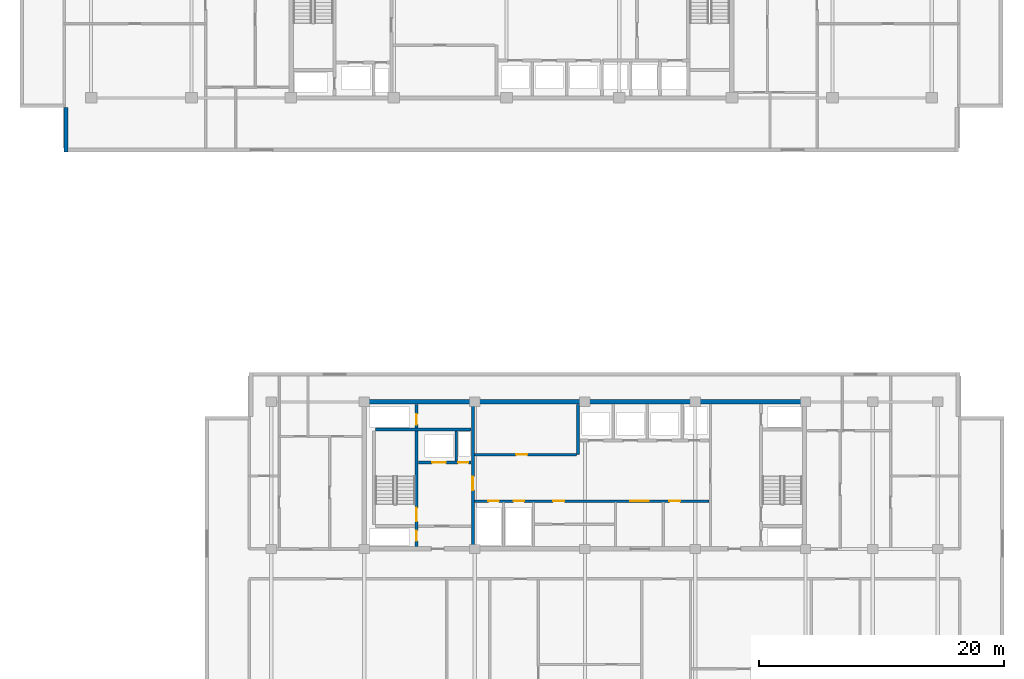
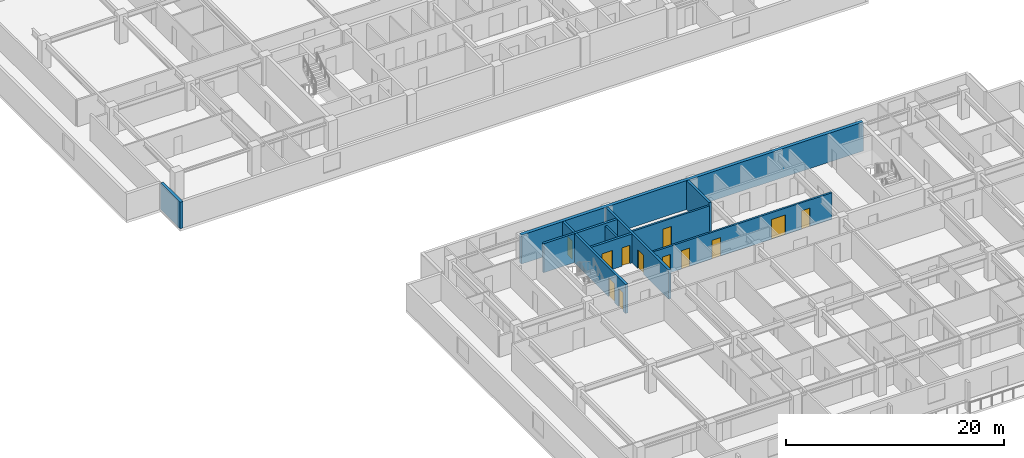
# One storey, part 7 of 22: 12 doors, 10 walls, 12 openings.
"""IFC4 building model written with IfcOpenShell, lengths in metres."""

from ifc_helpers import new_model, si_unit, direction, frame, frame_2d, origin, place, context, subcontext, project, spatial, rectangle, extrude, material, layer, layer_set, type_object, element, fill, save


model = new_model("IFC4")

# Units and contexts
model_context = context("Model", 3, precision=1e-05, world=origin(), true_north=direction((0.0, 1.0)))
body_context = subcontext(model_context, "Body", "Model", "MODEL_VIEW")
ifc_project = project(units=[si_unit("LENGTHUNIT", "METRE"), si_unit("AREAUNIT", "SQUARE_METRE"), si_unit("VOLUMEUNIT", "CUBIC_METRE"), si_unit("PLANEANGLEUNIT", "RADIAN"), si_unit("MASSUNIT", "GRAM", prefix="KILO")], contexts=[model_context])

# Site, building, storey
site_placement = place(None, origin())
site = spatial("IfcSite", under=ifc_project, at=site_placement, CompositionType="ELEMENT")
building_placement = place(site_placement, origin())
building = spatial("IfcBuilding", under=site, at=building_placement, Name="Korimba Cascade Residences", CompositionType="ELEMENT")
storey_placement = place(building_placement, frame((0.0, 0.0, 110.050048828125)))
storey = spatial("IfcBuildingStorey", under=building, at=storey_placement, Name="L31", CompositionType="ELEMENT", Elevation=110.050048828125)

# Walls
ifc_material_1 = material(Name="Precast concrete C40/50", Category="concrete")
ifc_layer_1 = layer(ifc_material_1, 0.300048828125)
ifc_layer_set_1 = layer_set([ifc_layer_1], Name="Precast concrete C40/50")
wall_type_1 = type_object("IfcWallType", Name="EW-STONE-300", PredefinedType="STANDARD", material=ifc_layer_set_1)
wall_1_placement = place(storey_placement, frame((57.75, 54.39990234375, 0.0), z_axis=(0.0, 0.0, 1.0), x_axis=(0.0, -1.0, 0.0)))
element("IfcWall", 1, at=wall_1_placement, inside=storey, type_object=wall_type_1, Name="L31 T1 Perimeter Stone Wall E11", PredefinedType="STANDARD", context=body_context, shape_type="SweptSolid", body=[
    extrude(rectangle(XDim=3.599853515625, YDim=0.300048828125, at=frame_2d((1.7998046875, 0.0))), origin(), (0.0, 0.0, 1.0), 2.969970703125),
])
ifc_material_2 = material(Name="Concrete C65/80", Category="concrete")
ifc_layer_2 = layer(ifc_material_2, 0.35009765625)
ifc_layer_set_2 = layer_set([ifc_layer_2], Name="Concrete C65/80")
wall_type_2 = type_object("IfcWallType", Name="WAL-CORE-350", PredefinedType="SHEAR", material=ifc_layer_set_2)
wall_2_placement = place(storey_placement, frame((81.925048828125, 30.39990234375, 0.0), z_axis=(0.0, 0.0, 1.0), x_axis=(1.0, 0.0, 0.0)))
element("IfcWall", 2, at=wall_2_placement, inside=storey, type_object=wall_type_2, Name="L31 Core Shear Wall CW-L31-T2-N", PredefinedType="SHEAR", context=body_context, shape_type="SweptSolid", body=[
    extrude(rectangle(XDim=36.264892578125, YDim=0.35009765625, at=frame_2d((18.13232421875, 0.0))), origin(), (0.0, 0.0, 1.0), 3.25),
])
ifc_material_3 = material(Name="Concrete C40/50", Category="concrete")
ifc_layer_3 = layer(ifc_material_3, 0.199951171875)
ifc_layer_set_3 = layer_set([ifc_layer_3], Name="Concrete C40/50")
wall_type_3 = type_object("IfcWallType", Name="WAL-PART-200", PredefinedType="PARTITIONING", material=ifc_layer_set_3)
wall_3_placement = place(storey_placement, frame((89.60009765625, 25.580078125, 0.0), z_axis=(0.0, 0.0, 1.0), x_axis=(0.0, 1.0, 0.0)))
element("IfcWall", 3, at=wall_3_placement, inside=storey, type_object=wall_type_3, Name="L31 Partition Wall CW-L31-T2-FFLDIV", PredefinedType="PARTITIONING", context=body_context, shape_type="SweptSolid", body=[
    extrude(rectangle(XDim=2.419921875, YDim=0.199951171875, at=frame_2d((1.2099609375, 0.0))), origin(), (0.0, 0.0, 1.0), 2.969970703125),
])

# Wall, opening, door
wall_4_placement = place(storey_placement, frame((91.080078125, 26.10009765625, 0.0), z_axis=(0.0, 0.0, 1.0), x_axis=(1.0, 0.0, 0.0)))
wall_4 = element("IfcWall", 4, at=wall_4_placement, inside=storey, type_object=wall_type_3, Name="L31 Partition Wall CW-L31-T2-B1RS", PredefinedType="PARTITIONING", context=body_context, shape_type="SweptSolid", body=[
    extrude(rectangle(XDim=8.33984375, YDim=0.199951171875, at=frame_2d((4.169921875, 0.0))), origin(), (0.0, 0.0, 1.0), 2.969970703125),
])
opening_1_placement = place(wall_4_placement, frame((3.39990234375, 0.0, 0.0)))
opening_1 = element("IfcOpeningElement", 5, at=opening_1_placement, cuts=wall_4, Name="Opening D-ST1", PredefinedType="OPENING", context=body_context, shape_type="SweptSolid", body=[
    extrude(rectangle(XDim=0.919921875, YDim=2.080078125, at=frame_2d((0.4599609375, 1.0400390625))), frame((0.0, 0.10986328125, 0.0), z_axis=(0.0, -1.0, 0.0), x_axis=(1.0, 0.0, 0.0)), (0.0, 0.0, 1.0), 0.219970703125),
])
ifc_material_4 = material(Name="Fire-Rated Core Store Door", Category="wood")
door_type_1 = type_object("IfcDoorType", Name="DR-FD60-920", OperationType="NOTDEFINED", PredefinedType="DOOR", material=ifc_material_4)
door_1_placement = place(opening_1_placement, origin())
door_1 = element("IfcDoor", 6, at=door_1_placement, inside=storey, type_object=door_type_1, Name="L31 T2 Resident Storage Door", OperationType="SINGLE_SWING_RIGHT", OverallHeight=2.080078125, OverallWidth=0.919921875, PredefinedType="DOOR", context=body_context, shape_type="SweptSolid", body=[
    extrude(rectangle(XDim=0.919921875, YDim=2.080078125, at=frame_2d((0.4599609375, 1.0400390625))), frame((0.0, 0.02490234375, 0.0), z_axis=(0.0, -1.0, 0.0), x_axis=(1.0, 0.0, 0.0)), (0.0, 0.0, 1.0), 0.050048828125),
])
fill(opening_1, door_1)

# Wall, openings, doors
wall_5_placement = place(storey_placement, frame((91.080078125, 22.300048828125, 0.0), z_axis=(0.0, 0.0, 1.0), x_axis=(1.0, 0.0, 0.0)))
wall_5 = element("IfcWall", 7, at=wall_5_placement, inside=storey, type_object=wall_type_3, Name="L31 Partition Wall CW-L31-T2-SRVROW", PredefinedType="PARTITIONING", context=body_context, shape_type="SweptSolid", body=[
    extrude(rectangle(XDim=19.139892578125, YDim=0.199951171875, at=frame_2d((9.56982421875, 0.0))), origin(), (0.0, 0.0, 1.0), 2.969970703125),
])
opening_2_placement = place(wall_5_placement, frame((1.14990234375, 0.0, 0.0)))
opening_2 = element("IfcOpeningElement", 8, at=opening_2_placement, cuts=wall_5, Name="Opening D-RS1", PredefinedType="OPENING", context=body_context, shape_type="SweptSolid", body=[
    extrude(rectangle(XDim=0.85009765625, YDim=2.050048828125, at=frame_2d((0.425048828125, 1.02490234375))), frame((0.0, 0.10986328125, 0.0), z_axis=(0.0, -1.0, 0.0), x_axis=(1.0, 0.0, 0.0)), (0.0, 0.0, 1.0), 0.219970703125),
])
opening_3_placement = place(wall_5_placement, frame((3.199951171875, 0.0, 0.0)))
opening_3 = element("IfcOpeningElement", 9, at=opening_3_placement, cuts=wall_5, Name="Opening D-RS1", PredefinedType="OPENING", context=body_context, shape_type="SweptSolid", body=[
    extrude(rectangle(XDim=0.85009765625, YDim=2.050048828125, at=frame_2d((0.425048828125, 1.02490234375))), frame((0.0, 0.10986328125, 0.0), z_axis=(0.0, -1.0, 0.0), x_axis=(1.0, 0.0, 0.0)), (0.0, 0.0, 1.0), 0.219970703125),
])
opening_4_placement = place(wall_5_placement, frame((12.719970703125, 0.0, 0.0)))
opening_4 = element("IfcOpeningElement", 10, at=opening_4_placement, cuts=wall_5, Name="Opening D-FD8", PredefinedType="OPENING", context=body_context, shape_type="SweptSolid", body=[
    extrude(rectangle(XDim=1.5, YDim=2.199951171875, at=frame_2d((0.75, 1.10009765625))), frame((0.0, 0.10986328125, 0.0), z_axis=(0.0, -1.0, 0.0), x_axis=(1.0, 0.0, 0.0)), (0.0, 0.0, 1.0), 0.219970703125),
])
opening_5_placement = place(wall_5_placement, frame((6.419921875, 0.0, 0.0)))
opening_5 = element("IfcOpeningElement", 11, at=opening_5_placement, cuts=wall_5, Name="Opening D-IN1", PredefinedType="OPENING", context=body_context, shape_type="SweptSolid", body=[
    extrude(rectangle(XDim=0.919921875, YDim=2.080078125, at=frame_2d((0.4599609375, 1.0400390625))), frame((0.0, 0.10986328125, 0.0), z_axis=(0.0, -1.0, 0.0), x_axis=(1.0, 0.0, 0.0)), (0.0, 0.0, 1.0), 0.219970703125),
])
opening_6_placement = place(wall_5_placement, frame((15.919921875, 0.0, 0.0)))
opening_6 = element("IfcOpeningElement", 12, at=opening_6_placement, cuts=wall_5, Name="Opening D-IN2", PredefinedType="OPENING", context=body_context, shape_type="SweptSolid", body=[
    extrude(rectangle(XDim=0.8798828125, YDim=2.06005859375, at=frame_2d((0.43994140625, 1.030029296875))), frame((0.0, 0.10986328125, 0.0), z_axis=(0.0, -1.0, 0.0), x_axis=(1.0, 0.0, 0.0)), (0.0, 0.0, 1.0), 0.219970703125),
])
ifc_material_5 = material(Name="Fire-Rated Steel Riser Access Door", Category="steel")
door_type_2 = type_object("IfcDoorType", Name="DR-FD60-850", OperationType="NOTDEFINED", PredefinedType="DOOR", material=ifc_material_5)
door_2_placement = place(opening_2_placement, origin())
door_2 = element("IfcDoor", 13, at=door_2_placement, inside=storey, type_object=door_type_2, Name="L31 T2 Electrical Riser Door", OperationType="SINGLE_SWING_LEFT", OverallHeight=2.050048828125, OverallWidth=0.85009765625, PredefinedType="DOOR", context=body_context, shape_type="SweptSolid", body=[
    extrude(rectangle(XDim=0.85009765625, YDim=2.050048828125, at=frame_2d((0.425048828125, 1.02490234375))), frame((0.0, 0.02490234375, 0.0), z_axis=(0.0, -1.0, 0.0), x_axis=(1.0, 0.0, 0.0)), (0.0, 0.0, 1.0), 0.050048828125),
])
fill(opening_2, door_2)
door_3_placement = place(opening_3_placement, origin())
door_3 = element("IfcDoor", 14, at=door_3_placement, inside=storey, type_object=door_type_2, Name="L31 T2 Plumbing Riser Door", OperationType="SINGLE_SWING_RIGHT", OverallHeight=2.050048828125, OverallWidth=0.85009765625, PredefinedType="DOOR", context=body_context, shape_type="SweptSolid", body=[
    extrude(rectangle(XDim=0.85009765625, YDim=2.050048828125, at=frame_2d((0.425048828125, 1.02490234375))), frame((0.0, 0.02490234375, 0.0), z_axis=(0.0, -1.0, 0.0), x_axis=(1.0, 0.0, 0.0)), (0.0, 0.0, 1.0), 0.050048828125),
])
fill(opening_3, door_3)
ifc_material_6 = material(Name="Fire-Rated Glazed Lift Lobby Double Door", Category="glass")
door_type_3 = type_object("IfcDoorType", Name="DR-FD90-1500", OperationType="NOTDEFINED", PredefinedType="DOOR", material=ifc_material_6)
door_4_placement = place(opening_4_placement, origin())
door_4 = element("IfcDoor", 15, at=door_4_placement, inside=storey, type_object=door_type_3, Name="L31 T2 Lift Lobby Foyer Door", OperationType="DOUBLE_DOOR_SINGLE_SWING", OverallHeight=2.199951171875, OverallWidth=1.5, PredefinedType="DOOR", context=body_context, shape_type="SweptSolid", body=[
    extrude(rectangle(XDim=1.5, YDim=2.199951171875, at=frame_2d((0.75, 1.10009765625))), frame((0.0, 0.02490234375, 0.0), z_axis=(0.0, -1.0, 0.0), x_axis=(1.0, 0.0, 0.0)), (0.0, 0.0, 1.0), 0.050048828125),
])
fill(opening_4, door_4)
ifc_material_7 = material(Name="Acoustic Timber Bedroom Door", Category="wood")
door_type_4 = type_object("IfcDoorType", Name="DR-INT-880", OperationType="NOTDEFINED", PredefinedType="DOOR", material=ifc_material_7)
door_5_placement = place(opening_6_placement, origin())
door_5 = element("IfcDoor", 16, at=door_5_placement, inside=storey, type_object=door_type_4, Name="L31 T2 Staff WC Door", OperationType="SINGLE_SWING_RIGHT", OverallHeight=2.06005859375, OverallWidth=0.8798828125, PredefinedType="DOOR", context=body_context, shape_type="SweptSolid", body=[
    extrude(rectangle(XDim=0.8798828125, YDim=2.06005859375, at=frame_2d((0.43994140625, 1.030029296875))), frame((0.0, 0.02490234375, 0.0), z_axis=(0.0, -1.0, 0.0), x_axis=(1.0, 0.0, 0.0)), (0.0, 0.0, 1.0), 0.050048828125),
])
fill(opening_6, door_5)
ifc_material_8 = material(Name="Acoustic Timber Living Door", Category="wood")
door_type_5 = type_object("IfcDoorType", Name="DR-INT-920", OperationType="NOTDEFINED", PredefinedType="DOOR", material=ifc_material_8)
door_6_placement = place(opening_5_placement, origin())
door_6 = element("IfcDoor", 17, at=door_6_placement, inside=storey, type_object=door_type_5, Name="L31 T2 Locker Door", OperationType="SINGLE_SWING_LEFT", OverallHeight=2.080078125, OverallWidth=0.919921875, PredefinedType="DOOR", context=body_context, shape_type="SweptSolid", body=[
    extrude(rectangle(XDim=0.919921875, YDim=2.080078125, at=frame_2d((0.4599609375, 1.0400390625))), frame((0.0, 0.02490234375, 0.0), z_axis=(0.0, -1.0, 0.0), x_axis=(1.0, 0.0, 0.0)), (0.0, 0.0, 1.0), 0.050048828125),
])
fill(opening_5, door_6)

ifc_material_9 = material(Name="Concrete C50/60", Category="concrete")
ifc_layer_4 = layer(ifc_material_9, 0.25)
ifc_layer_set_4 = layer_set([ifc_layer_4], Name="Concrete C50/60")
wall_type_4 = type_object("IfcWallType", Name="WAL-SHAFT-250", PredefinedType="SHEAR", material=ifc_layer_set_4)
wall_6_placement = place(storey_placement, frame((86.364990234375, 18.60009765625, 0.0), z_axis=(0.0, 0.0, 1.0), x_axis=(0.0, 1.0, 0.0)))
wall_6 = element("IfcWall", 18, at=wall_6_placement, inside=storey, type_object=wall_type_4, Name="L31 Core Shear Wall CW-L31-T2-STE1E", PredefinedType="SHEAR", context=body_context, shape_type="SweptSolid", body=[
    extrude(rectangle(XDim=11.599853515625, YDim=0.25, at=frame_2d((5.7998046875, 0.0))), origin(), (0.0, 0.0, 1.0), 3.25),
])
opening_7_placement = place(wall_6_placement, frame((0.449951171875, 0.0, 0.0)))
opening_7 = element("IfcOpeningElement", 19, at=opening_7_placement, cuts=wall_6, Name="Opening D-RS1", PredefinedType="OPENING", context=body_context, shape_type="SweptSolid", body=[
    extrude(rectangle(XDim=0.85009765625, YDim=2.050048828125, at=frame_2d((0.425048828125, 1.02490234375))), frame((0.0, 0.135009765625, 0.0), z_axis=(0.0, -1.0, 0.0), x_axis=(1.0, 0.0, 0.0)), (0.0, 0.0, 1.0), 0.27001953125),
])
opening_8_placement = place(wall_6_placement, frame((2.050048828125, 0.0, 0.0)))
opening_8 = element("IfcOpeningElement", 20, at=opening_8_placement, cuts=wall_6, Name="Opening D-FD1", PredefinedType="OPENING", context=body_context, shape_type="SweptSolid", body=[
    extrude(rectangle(XDim=1.10009765625, YDim=2.10009765625, at=frame_2d((0.550048828125, 1.050048828125))), frame((0.0, 0.135009765625, 0.0), z_axis=(0.0, -1.0, 0.0), x_axis=(1.0, 0.0, 0.0)), (0.0, 0.0, 1.0), 0.27001953125),
])
opening_9_placement = place(wall_6_placement, frame((9.949951171875, 0.0, 0.0)))
opening_9 = element("IfcOpeningElement", 21, at=opening_9_placement, cuts=wall_6, Name="Opening D-RS1", PredefinedType="OPENING", context=body_context, shape_type="SweptSolid", body=[
    extrude(rectangle(XDim=0.85009765625, YDim=2.050048828125, at=frame_2d((0.425048828125, 1.02490234375))), frame((0.0, 0.135009765625, 0.0), z_axis=(0.0, -1.0, 0.0), x_axis=(1.0, 0.0, 0.0)), (0.0, 0.0, 1.0), 0.27001953125),
])
ifc_material_10 = material(Name="Fire-Rated Steel Core Door", Category="steel")
door_type_6 = type_object("IfcDoorType", Name="DR-FD120-1100", OperationType="NOTDEFINED", PredefinedType="DOOR", material=ifc_material_10)
door_7_placement = place(opening_8_placement, origin())
door_7 = element("IfcDoor", 22, at=door_7_placement, inside=storey, type_object=door_type_6, Name="L31 Fire Stair ST-E1 Door", OperationType="SINGLE_SWING_LEFT", OverallHeight=2.10009765625, OverallWidth=1.10009765625, PredefinedType="DOOR", context=body_context, shape_type="SweptSolid", body=[
    extrude(rectangle(XDim=1.10009765625, YDim=2.10009765625, at=frame_2d((0.550048828125, 1.050048828125))), frame((0.0, 0.02490234375, 0.0), z_axis=(0.0, -1.0, 0.0), x_axis=(1.0, 0.0, 0.0)), (0.0, 0.0, 1.0), 0.050048828125),
])
fill(opening_8, door_7)
door_8_placement = place(opening_7_placement, origin())
door_8 = element("IfcDoor", 23, at=door_8_placement, inside=storey, type_object=door_type_2, Name="L31 T2 Hydrant Riser Door", OperationType="SINGLE_SWING_RIGHT", OverallHeight=2.050048828125, OverallWidth=0.85009765625, PredefinedType="DOOR", context=body_context, shape_type="SweptSolid", body=[
    extrude(rectangle(XDim=0.85009765625, YDim=2.050048828125, at=frame_2d((0.425048828125, 1.02490234375))), frame((0.0, 0.02490234375, 0.0), z_axis=(0.0, -1.0, 0.0), x_axis=(1.0, 0.0, 0.0)), (0.0, 0.0, 1.0), 0.050048828125),
])
fill(opening_7, door_8)
door_9_placement = place(opening_9_placement, origin())
door_9 = element("IfcDoor", 24, at=door_9_placement, inside=storey, type_object=door_type_2, Name="L31 T2 Smoke Shaft Door", OperationType="SINGLE_SWING_RIGHT", OverallHeight=2.050048828125, OverallWidth=0.85009765625, PredefinedType="DOOR", context=body_context, shape_type="SweptSolid", body=[
    extrude(rectangle(XDim=0.85009765625, YDim=2.050048828125, at=frame_2d((0.425048828125, 1.02490234375))), frame((0.0, 0.02490234375, 0.0), z_axis=(0.0, -1.0, 0.0), x_axis=(1.0, 0.0, 0.0)), (0.0, 0.0, 1.0), 0.050048828125),
])
fill(opening_9, door_9)

# Wall
wall_7_placement = place(storey_placement, frame((83.0, 28.125, 0.0), z_axis=(0.0, 0.0, 1.0), x_axis=(1.0, 0.0, 0.0)))
element("IfcWall", 25, at=wall_7_placement, inside=storey, type_object=wall_type_4, Name="L31 Core Shear Wall CW-L31-T2-STE1N", PredefinedType="SHEAR", context=body_context, shape_type="SweptSolid", body=[
    extrude(rectangle(XDim=7.820068359375, YDim=0.25, at=frame_2d((3.91015625, 0.0))), origin(), (0.0, 0.0, 1.0), 3.25),
])

# Wall, openings, doors
wall_8_placement = place(storey_placement, frame((86.5, 25.449951171875, 0.0), z_axis=(0.0, 0.0, 1.0), x_axis=(1.0, 0.0, 0.0)))
wall_8 = element("IfcWall", 26, at=wall_8_placement, inside=storey, type_object=wall_type_4, Name="L31 Core Shear Wall CW-L31-T2-FFLN", PredefinedType="SHEAR", context=body_context, shape_type="SweptSolid", body=[
    extrude(rectangle(XDim=4.320068359375, YDim=0.25, at=frame_2d((2.16015625, 0.0))), origin(), (0.0, 0.0, 1.0), 3.25),
])
opening_10_placement = place(wall_8_placement, frame((1.139892578125, 0.0, 0.0)))
opening_10 = element("IfcOpeningElement", 27, at=opening_10_placement, cuts=wall_8, Name="Opening LD-01", PredefinedType="OPENING", context=body_context, shape_type="SweptSolid", body=[
    extrude(rectangle(XDim=1.1201171875, YDim=2.1201171875, at=frame_2d((0.56005859375, 1.06005859375))), frame((0.0, 0.135009765625, 0.0), z_axis=(0.0, -1.0, 0.0), x_axis=(1.0, 0.0, 0.0)), (0.0, 0.0, 1.0), 0.27001953125),
])
opening_11_placement = place(wall_8_placement, frame((3.25, 0.0, 0.0)))
opening_11 = element("IfcOpeningElement", 28, at=opening_11_placement, cuts=wall_8, Name="Opening D-RS1", PredefinedType="OPENING", context=body_context, shape_type="SweptSolid", body=[
    extrude(rectangle(XDim=0.85009765625, YDim=2.050048828125, at=frame_2d((0.425048828125, 1.02490234375))), frame((0.0, 0.135009765625, 0.0), z_axis=(0.0, -1.0, 0.0), x_axis=(1.0, 0.0, 0.0)), (0.0, 0.0, 1.0), 0.27001953125),
])
door_10_placement = place(opening_11_placement, origin())
door_10 = element("IfcDoor", 29, at=door_10_placement, inside=storey, type_object=door_type_2, Name="L31 T2 Pressurisation Riser Door", OperationType="SINGLE_SWING_LEFT", OverallHeight=2.050048828125, OverallWidth=0.85009765625, PredefinedType="DOOR", context=body_context, shape_type="SweptSolid", body=[
    extrude(rectangle(XDim=0.85009765625, YDim=2.050048828125, at=frame_2d((0.425048828125, 1.02490234375))), frame((0.0, 0.02490234375, 0.0), z_axis=(0.0, -1.0, 0.0), x_axis=(1.0, 0.0, 0.0)), (0.0, 0.0, 1.0), 0.050048828125),
])
fill(opening_11, door_10)
ifc_material_11 = material(Name="Stainless Steel Lift Landing Sliding Door", Category="steel")
door_type_7 = type_object("IfcDoorType", Name="DR-LIFT-1100", OperationType="NOTDEFINED", PredefinedType="DOOR", material=ifc_material_11)
door_11_placement = place(opening_10_placement, origin())
door_11 = element("IfcDoor", 30, at=door_11_placement, inside=storey, type_object=door_type_7, Name="L31 Firefighting Lift Landing Door FFL-E1", OperationType="SLIDING_TO_RIGHT", OverallHeight=2.1201171875, OverallWidth=1.1201171875, PredefinedType="DOOR", context=body_context, shape_type="SweptSolid", body=[
    extrude(rectangle(XDim=1.1201171875, YDim=2.1201171875, at=frame_2d((0.56005859375, 1.06005859375))), frame((0.0, 0.02490234375, 0.0), z_axis=(0.0, -1.0, 0.0), x_axis=(1.0, 0.0, 0.0)), (0.0, 0.0, 1.0), 0.050048828125),
])
fill(opening_10, door_11)

# Wall, opening, door
wall_9_placement = place(storey_placement, frame((90.949951171875, 18.60009765625, 0.0), z_axis=(0.0, 0.0, 1.0), x_axis=(0.0, 1.0, 0.0)))
wall_9 = element("IfcWall", 31, at=wall_9_placement, inside=storey, type_object=wall_type_4, Name="L31 Core Shear Wall CW-L31-T2-FFLE", PredefinedType="SHEAR", context=body_context, shape_type="SweptSolid", body=[
    extrude(rectangle(XDim=11.599853515625, YDim=0.25, at=frame_2d((5.7998046875, 0.0))), origin(), (0.0, 0.0, 1.0), 3.25),
])
opening_12_placement = place(wall_9_placement, frame((4.60009765625, 0.0, 0.0)))
opening_12 = element("IfcOpeningElement", 32, at=opening_12_placement, cuts=wall_9, Name="Opening D-FD1", PredefinedType="OPENING", context=body_context, shape_type="SweptSolid", body=[
    extrude(rectangle(XDim=1.10009765625, YDim=2.10009765625, at=frame_2d((0.550048828125, 1.050048828125))), frame((0.0, 0.135009765625, 0.0), z_axis=(0.0, -1.0, 0.0), x_axis=(1.0, 0.0, 0.0)), (0.0, 0.0, 1.0), 0.27001953125),
])
door_12_placement = place(opening_12_placement, origin())
door_12 = element("IfcDoor", 33, at=door_12_placement, inside=storey, type_object=door_type_6, Name="L31 T2 Firefighting Lobby to Lift Lobby Door", OperationType="SINGLE_SWING_LEFT", OverallHeight=2.10009765625, OverallWidth=1.10009765625, PredefinedType="DOOR", context=body_context, shape_type="SweptSolid", body=[
    extrude(rectangle(XDim=1.10009765625, YDim=2.10009765625, at=frame_2d((0.550048828125, 1.050048828125))), frame((0.0, 0.02490234375, 0.0), z_axis=(0.0, -1.0, 0.0), x_axis=(1.0, 0.0, 0.0)), (0.0, 0.0, 1.0), 0.050048828125),
])
fill(opening_12, door_12)

# Wall
wall_10_placement = place(storey_placement, frame((99.550048828125, 26.10009765625, 0.0), z_axis=(0.0, 0.0, 1.0), x_axis=(0.0, 1.0, 0.0)))
element("IfcWall", 34, at=wall_10_placement, inside=storey, type_object=wall_type_4, Name="L31 Core Shear Wall CW-L31-T2-B12DIV", PredefinedType="SHEAR", context=body_context, shape_type="SweptSolid", body=[
    extrude(rectangle(XDim=4.099853515625, YDim=0.25, at=frame_2d((2.0498046875, 0.0))), origin(), (0.0, 0.0, 1.0), 3.25),
])

save(model, "model.ifc")
